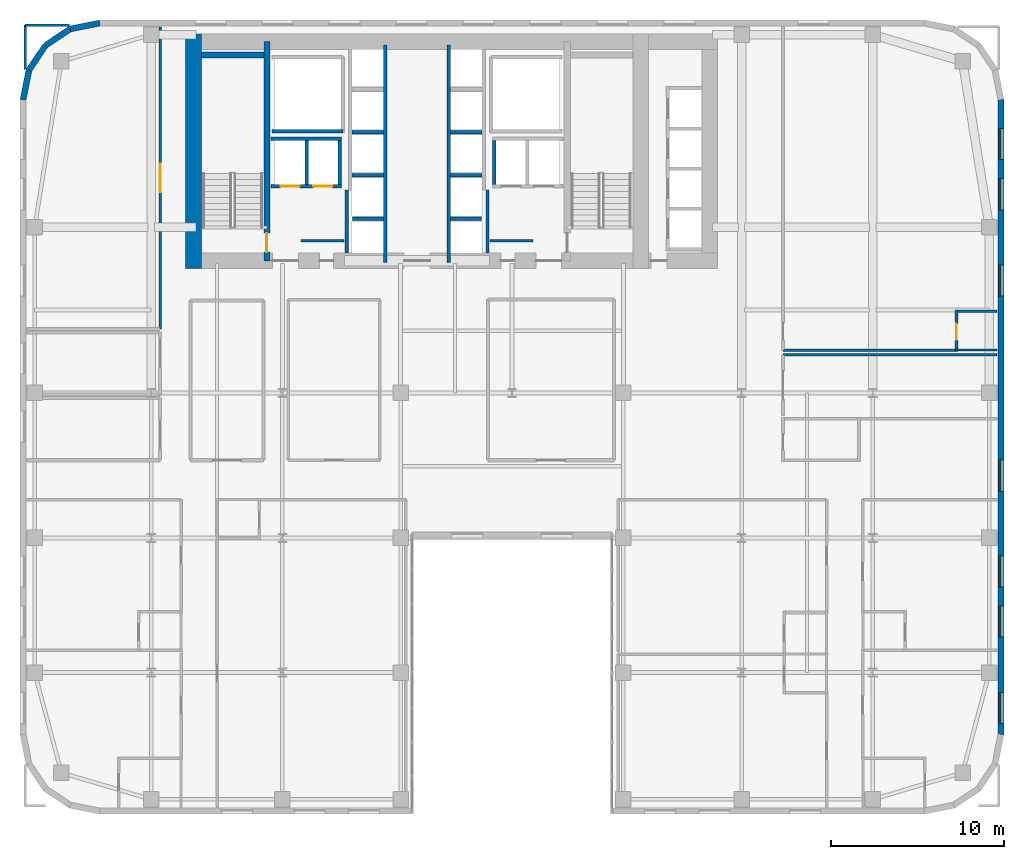
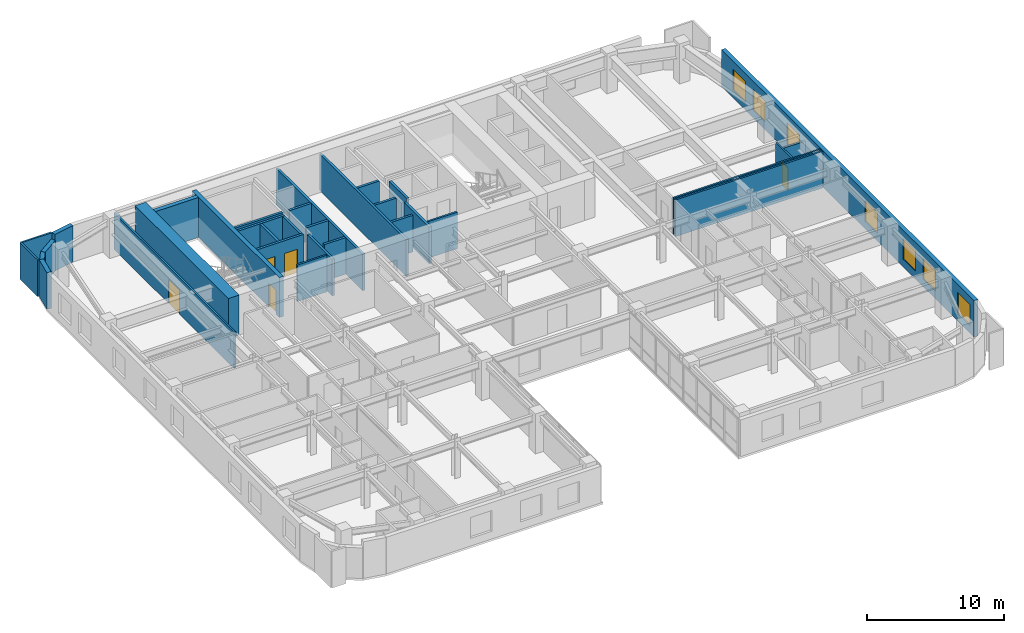
# One storey, part 13 of 16: 34 walls, 7 windows, 5 doors, 12 openings.
"""IFC4 building model written with IfcOpenShell, lengths in metres."""

from ifc_helpers import new_model, si_unit, direction, frame, frame_2d, origin, place, context, subcontext, project, spatial, rectangle, extrude, source, transform, mapped, material, layer, layer_set, type_object, type_shapes, element, fill, save


model = new_model("IFC4")

# Units and contexts
model_context = context("Model", 3, precision=1e-05, world=origin(), true_north=direction((0.0, 1.0)))
body_context = subcontext(model_context, "Body", "Model", "MODEL_VIEW")
ifc_project = project(units=[si_unit("LENGTHUNIT", "METRE"), si_unit("AREAUNIT", "SQUARE_METRE"), si_unit("VOLUMEUNIT", "CUBIC_METRE"), si_unit("PLANEANGLEUNIT", "RADIAN"), si_unit("MASSUNIT", "GRAM", prefix="KILO")], contexts=[model_context])

# Site, building, storey
site_placement = place(None, origin())
site = spatial("IfcSite", under=ifc_project, at=site_placement, CompositionType="ELEMENT")
building_placement = place(site_placement, origin())
building = spatial("IfcBuilding", under=site, at=building_placement, Name="Tolvann Quenvar Hotel", CompositionType="ELEMENT")
storey_placement = place(building_placement, frame((0.0, 0.0, 92.35009765625)))
storey = spatial("IfcBuildingStorey", under=building, at=storey_placement, Name="L23", CompositionType="ELEMENT", Elevation=92.35009765625)

# Wall
ifc_material_1 = material(Name="Concrete S80 (80 MPa)", Category="concrete")
ifc_layer_1 = layer(ifc_material_1, 0.89990234375)
ifc_layer_set_1 = layer_set([ifc_layer_1], Name="Concrete S80 (80 MPa)")
wall_type_1 = type_object("IfcWallType", Name="WALL_CORE_900", PredefinedType="SHEAR", material=ifc_layer_set_1)
wall_1_placement = place(storey_placement, frame((10.050048828125, 31.60009765625, 0.0), z_axis=(0.0, 0.0, 1.0), x_axis=(0.0, 1.0, 0.0)))
element("IfcWall", 1, at=wall_1_placement, inside=storey, type_object=wall_type_1, Name="Rear Core W Shear Wall (L23)", PredefinedType="SHEAR", context=body_context, shape_type="SweptSolid", body=[
    extrude(rectangle(XDim=13.599853515625, YDim=0.89990234375, at=frame_2d((6.7998046875, 0.0))), origin(), (0.0, 0.0, 1.0), 3.5498046875),
])

# Wall, opening, door
ifc_material_2 = material(Name="Concrete S65 (65 MPa)", Category="concrete")
ifc_layer_2 = layer(ifc_material_2, 0.35009765625)
ifc_layer_set_2 = layer_set([ifc_layer_2], Name="Concrete S65 (65 MPa)")
wall_type_2 = type_object("IfcWallType", Name="WALL_CORE_INT_350", PredefinedType="SHEAR", material=ifc_layer_set_2)
wall_2_placement = place(storey_placement, frame((14.300048828125, 32.050048828125, 0.0), z_axis=(0.0, 0.0, 1.0), x_axis=(0.0, 1.0, 0.0)))
wall_2 = element("IfcWall", 2, at=wall_2_placement, inside=storey, type_object=wall_type_2, Name="Core Internal Web Shear Wall WEB-W (L23)", PredefinedType="SHEAR", context=body_context, shape_type="SweptSolid", body=[
    extrude(rectangle(XDim=12.699951171875, YDim=0.35009765625, at=frame_2d((6.35009765625, 0.0))), origin(), (0.0, 0.0, 1.0), 3.5498046875),
])
opening_1_placement = place(wall_2_placement, frame((0.5, 0.0, 0.0)))
opening_1 = element("IfcOpeningElement", 3, at=opening_1_placement, cuts=wall_2, Name="Opening FD-120", PredefinedType="OPENING", context=body_context, shape_type="SweptSolid", body=[
    extrude(rectangle(XDim=1.10009765625, YDim=2.1201171875, at=frame_2d((0.550048828125, 1.06005859375))), frame((0.0, 0.18505859375, 0.0), z_axis=(0.0, -1.0, 0.0), x_axis=(1.0, 0.0, 0.0)), (0.0, 0.0, 1.0), 0.3701171875),
])
ifc_material_3 = material(Name="Pressed galvanised steel fire-rated door set", Category="steel")
door_type_1 = type_object("IfcDoorType", Name="DOOR_FIRE_STAIR_1100", OperationType="NOTDEFINED", PredefinedType="DOOR", material=ifc_material_3)
shared_shape_1 = source(origin(), body_context, "Body", "SweptSolid", [
    extrude(rectangle(XDim=1.10009765625, YDim=2.1201171875, at=frame_2d((0.550048828125, 1.06005859375))), frame((0.0, 0.02490234375, 0.0), z_axis=(0.0, -1.0, 0.0), x_axis=(1.0, 0.0, 0.0)), (0.0, 0.0, 1.0), 0.050048828125),
])
type_shapes(door_type_1, [shared_shape_1])
door_1_placement = place(opening_1_placement, origin())
door_1 = element("IfcDoor", 4, at=door_1_placement, inside=storey, type_object=door_type_1, Name="Exit Stair ST-C1 Fire Door (L23)", OperationType="SINGLE_SWING_LEFT", OverallHeight=2.1201171875, OverallWidth=1.10009765625, PredefinedType="DOOR", context=body_context, shape_type="MappedRepresentation", body=[
    mapped(shared_shape_1, transform((0.0, 0.0, 0.0), x_axis=(1.0, 0.0, 0.0), y_axis=(0.0, 1.0, 0.0), z_axis=(0.0, 0.0, 1.0), scale=1.0)),
])
fill(opening_1, door_1)

# Wall
wall_3_placement = place(storey_placement, frame((10.52001953125, 43.97509765625, 0.0), z_axis=(0.0, 0.0, 1.0), x_axis=(1.0, 0.0, 0.0)))
element("IfcWall", 5, at=wall_3_placement, inside=storey, type_object=wall_type_2, Name="Core Stair North Closing Shear Wall STC1-N (L23)", PredefinedType="SHEAR", context=body_context, shape_type="SweptSolid", body=[
    extrude(rectangle(XDim=3.60009765625, YDim=0.35009765625, at=frame_2d((1.800048828125, 0.0))), origin(), (0.0, 0.0, 1.0), 3.5498046875),
])

# Wall, openings, windows
ifc_material_4 = material(Name="Kiln-fired red and buff architectural clay brickwork and terracotta masonry", Category="masonry")
ifc_layer_3 = layer(ifc_material_4, 0.35009765625)
ifc_layer_set_3 = layer_set([ifc_layer_3], Name="Kiln-fired red and buff architectural clay brickwork and terracotta masonry")
wall_type_3 = type_object("IfcWallType", Name="WALL_EXT_BRICK_350", PredefinedType="SOLIDWALL", material=ifc_layer_set_3)
wall_4_placement = place(storey_placement, frame((56.824951171875, 4.6171875, 0.0), z_axis=(0.0, 0.0, 1.0), x_axis=(0.0, 1.0, 0.0)))
wall_4 = element("IfcWall", 6, at=wall_4_placement, inside=storey, type_object=wall_type_3, Name="Exterior Chicago Brick Wall L23-E13", PredefinedType="SOLIDWALL", context=body_context, shape_type="SweptSolid", body=[
    extrude(rectangle(XDim=36.765625, YDim=0.35009765625, at=frame_2d((18.3828125, 0.0))), origin(), (0.0, 0.0, 1.0), 3.25),
])
opening_2_placement = place(wall_4_placement, frame((0.6259765625, 0.0, 0.679931640625)))
opening_2 = element("IfcOpeningElement", 7, at=opening_2_placement, cuts=wall_4, Name="Opening W-03", PredefinedType="OPENING", context=body_context, shape_type="SweptSolid", body=[
    extrude(rectangle(XDim=1.800048828125, YDim=1.85009765625, at=frame_2d((0.89990234375, 0.925048828125))), frame((0.0, 0.18505859375, 0.0), z_axis=(0.0, -1.0, 0.0), x_axis=(1.0, 0.0, 0.0)), (0.0, 0.0, 1.0), 0.3701171875),
])
opening_3_placement = place(wall_4_placement, frame((5.6279296875, 0.0, 0.679931640625)))
opening_3 = element("IfcOpeningElement", 8, at=opening_3_placement, cuts=wall_4, Name="Opening W-03", PredefinedType="OPENING", context=body_context, shape_type="SweptSolid", body=[
    extrude(rectangle(XDim=1.800048828125, YDim=1.85009765625, at=frame_2d((0.89990234375, 0.925048828125))), frame((0.0, 0.18505859375, 0.0), z_axis=(0.0, -1.0, 0.0), x_axis=(1.0, 0.0, 0.0)), (0.0, 0.0, 1.0), 0.3701171875),
])
opening_4_placement = place(wall_4_placement, frame((8.529052734375, 0.0, 0.679931640625)))
opening_4 = element("IfcOpeningElement", 9, at=opening_4_placement, cuts=wall_4, Name="Opening W-03", PredefinedType="OPENING", context=body_context, shape_type="SweptSolid", body=[
    extrude(rectangle(XDim=1.800048828125, YDim=1.85009765625, at=frame_2d((0.89990234375, 0.925048828125))), frame((0.0, 0.18505859375, 0.0), z_axis=(0.0, -1.0, 0.0), x_axis=(1.0, 0.0, 0.0)), (0.0, 0.0, 1.0), 0.3701171875),
])
opening_5_placement = place(wall_4_placement, frame((14.0810546875, 0.0, 0.679931640625)))
opening_5 = element("IfcOpeningElement", 10, at=opening_5_placement, cuts=wall_4, Name="Opening W-03", PredefinedType="OPENING", context=body_context, shape_type="SweptSolid", body=[
    extrude(rectangle(XDim=1.800048828125, YDim=1.85009765625, at=frame_2d((0.89990234375, 0.925048828125))), frame((0.0, 0.18505859375, 0.0), z_axis=(0.0, -1.0, 0.0), x_axis=(1.0, 0.0, 0.0)), (0.0, 0.0, 1.0), 0.3701171875),
])
opening_6_placement = place(wall_4_placement, frame((25.385986328125, 0.0, 0.679931640625)))
opening_6 = element("IfcOpeningElement", 11, at=opening_6_placement, cuts=wall_4, Name="Opening W-03", PredefinedType="OPENING", context=body_context, shape_type="SweptSolid", body=[
    extrude(rectangle(XDim=1.800048828125, YDim=1.85009765625, at=frame_2d((0.89990234375, 0.925048828125))), frame((0.0, 0.18505859375, 0.0), z_axis=(0.0, -1.0, 0.0), x_axis=(1.0, 0.0, 0.0)), (0.0, 0.0, 1.0), 0.3701171875),
])
opening_7_placement = place(wall_4_placement, frame((30.387939453125, 0.0, 0.679931640625)))
opening_7 = element("IfcOpeningElement", 12, at=opening_7_placement, cuts=wall_4, Name="Opening W-03", PredefinedType="OPENING", context=body_context, shape_type="SweptSolid", body=[
    extrude(rectangle(XDim=1.800048828125, YDim=1.85009765625, at=frame_2d((0.89990234375, 0.925048828125))), frame((0.0, 0.18505859375, 0.0), z_axis=(0.0, -1.0, 0.0), x_axis=(1.0, 0.0, 0.0)), (0.0, 0.0, 1.0), 0.3701171875),
])
opening_8_placement = place(wall_4_placement, frame((33.2900390625, 0.0, 0.679931640625)))
opening_8 = element("IfcOpeningElement", 13, at=opening_8_placement, cuts=wall_4, Name="Opening W-03", PredefinedType="OPENING", context=body_context, shape_type="SweptSolid", body=[
    extrude(rectangle(XDim=1.800048828125, YDim=1.85009765625, at=frame_2d((0.89990234375, 0.925048828125))), frame((0.0, 0.18505859375, 0.0), z_axis=(0.0, -1.0, 0.0), x_axis=(1.0, 0.0, 0.0)), (0.0, 0.0, 1.0), 0.3701171875),
])
ifc_material_5 = material(Name="Thermally broken bronze-anodised aluminium frame with double low-E glazing", Category="aluminium")
window_type = type_object("IfcWindowType", Name="WIN_CHI_1800x2050", PartitioningType="TRIPLE_PANEL_HORIZONTAL", PredefinedType="WINDOW", material=ifc_material_5)
shared_shape_2 = source(origin(), body_context, "Body", "SweptSolid", [
    extrude(rectangle(XDim=1.800048828125, YDim=1.85009765625, at=frame_2d((0.89990234375, 0.925048828125))), frame((0.0, 0.090087890625, 0.0), z_axis=(0.0, -1.0, 0.0), x_axis=(1.0, 0.0, 0.0)), (0.0, 0.0, 1.0), 0.06005859375),
])
type_shapes(window_type, [shared_shape_2])
window_1_placement = place(opening_2_placement, origin())
window_1 = element("IfcWindow", 14, at=window_1_placement, inside=storey, type_object=window_type, Name="Chicago Window W-03 (EW-L23-E13-W01)", OverallHeight=1.85009765625, OverallWidth=1.800048828125, PartitioningType="TRIPLE_PANEL_HORIZONTAL", PredefinedType="WINDOW", context=body_context, shape_type="MappedRepresentation", body=[
    mapped(shared_shape_2, transform((0.0, 0.0, 0.0), x_axis=(1.0, 0.0, 0.0), y_axis=(0.0, 1.0, 0.0), z_axis=(0.0, 0.0, 1.0), scale=1.0)),
])
fill(opening_2, window_1)
window_2_placement = place(opening_3_placement, origin())
window_2 = element("IfcWindow", 15, at=window_2_placement, inside=storey, type_object=window_type, Name="Chicago Window W-03 (EW-L23-E13-W02)", OverallHeight=1.85009765625, OverallWidth=1.800048828125, PartitioningType="TRIPLE_PANEL_HORIZONTAL", PredefinedType="WINDOW", context=body_context, shape_type="MappedRepresentation", body=[
    mapped(shared_shape_2, transform((0.0, 0.0, 0.0), x_axis=(1.0, 0.0, 0.0), y_axis=(0.0, 1.0, 0.0), z_axis=(0.0, 0.0, 1.0), scale=1.0)),
])
fill(opening_3, window_2)
window_3_placement = place(opening_4_placement, origin())
window_3 = element("IfcWindow", 16, at=window_3_placement, inside=storey, type_object=window_type, Name="Chicago Window W-03 (EW-L23-E13-W03)", OverallHeight=1.85009765625, OverallWidth=1.800048828125, PartitioningType="TRIPLE_PANEL_HORIZONTAL", PredefinedType="WINDOW", context=body_context, shape_type="MappedRepresentation", body=[
    mapped(shared_shape_2, transform((0.0, 0.0, 0.0), x_axis=(1.0, 0.0, 0.0), y_axis=(0.0, 1.0, 0.0), z_axis=(0.0, 0.0, 1.0), scale=1.0)),
])
fill(opening_4, window_3)
window_4_placement = place(opening_5_placement, origin())
window_4 = element("IfcWindow", 17, at=window_4_placement, inside=storey, type_object=window_type, Name="Chicago Window W-03 (EW-L23-E13-W04)", OverallHeight=1.85009765625, OverallWidth=1.800048828125, PartitioningType="TRIPLE_PANEL_HORIZONTAL", PredefinedType="WINDOW", context=body_context, shape_type="MappedRepresentation", body=[
    mapped(shared_shape_2, transform((0.0, 0.0, 0.0), x_axis=(1.0, 0.0, 0.0), y_axis=(0.0, 1.0, 0.0), z_axis=(0.0, 0.0, 1.0), scale=1.0)),
])
fill(opening_5, window_4)
window_5_placement = place(opening_6_placement, origin())
window_5 = element("IfcWindow", 18, at=window_5_placement, inside=storey, type_object=window_type, Name="Chicago Window W-03 (EW-L23-E13-W05)", OverallHeight=1.85009765625, OverallWidth=1.800048828125, PartitioningType="TRIPLE_PANEL_HORIZONTAL", PredefinedType="WINDOW", context=body_context, shape_type="MappedRepresentation", body=[
    mapped(shared_shape_2, transform((0.0, 0.0, 0.0), x_axis=(1.0, 0.0, 0.0), y_axis=(0.0, 1.0, 0.0), z_axis=(0.0, 0.0, 1.0), scale=1.0)),
])
fill(opening_6, window_5)
window_6_placement = place(opening_7_placement, origin())
window_6 = element("IfcWindow", 19, at=window_6_placement, inside=storey, type_object=window_type, Name="Chicago Window W-03 (EW-L23-E13-W06)", OverallHeight=1.85009765625, OverallWidth=1.800048828125, PartitioningType="TRIPLE_PANEL_HORIZONTAL", PredefinedType="WINDOW", context=body_context, shape_type="MappedRepresentation", body=[
    mapped(shared_shape_2, transform((0.0, 0.0, 0.0), x_axis=(1.0, 0.0, 0.0), y_axis=(0.0, 1.0, 0.0), z_axis=(0.0, 0.0, 1.0), scale=1.0)),
])
fill(opening_7, window_6)
window_7_placement = place(opening_8_placement, origin())
window_7 = element("IfcWindow", 20, at=window_7_placement, inside=storey, type_object=window_type, Name="Chicago Window W-03 (EW-L23-E13-W07)", OverallHeight=1.85009765625, OverallWidth=1.800048828125, PartitioningType="TRIPLE_PANEL_HORIZONTAL", PredefinedType="WINDOW", context=body_context, shape_type="MappedRepresentation", body=[
    mapped(shared_shape_2, transform((0.0, 0.0, 0.0), x_axis=(1.0, 0.0, 0.0), y_axis=(0.0, 1.0, 0.0), z_axis=(0.0, 0.0, 1.0), scale=1.0)),
])
fill(opening_8, window_7)

# Walls
wall_5_placement = place(storey_placement, frame((4.6171875, 45.824951171875, 0.0), z_axis=(0.0, 0.0, 1.0), x_axis=(-0.980800971659, -0.195011420161, 0.0)))
element("IfcWall", 21, at=wall_5_placement, inside=storey, type_object=wall_type_3, Name="Exterior Chicago Brick Wall L23-E19", PredefinedType="SOLIDWALL", context=body_context, shape_type="SweptSolid", body=[
    extrude(rectangle(XDim=1.74267578125, YDim=0.35009765625, at=frame_2d((0.871337890625, 0.0))), origin(), (0.0, 0.0, 1.0), 3.25),
])
for number, where, z_axis, x_axis, name in (
    (22, (2.907958984375, 45.485107421875, 0.0), (0.0, 0.0, 1.0), (-0.831483840845, -0.55554893791, 0.0), "Exterior Chicago Brick Wall L23-E20"),
    (23, (1.473388671875, 44.526611328125, 0.0), (0.0, 0.0, 1.0), (-0.55554893791, -0.831483840845, 0.0), "Exterior Chicago Brick Wall L23-E21"),
):
    element("IfcWall", number, at=place(storey_placement, frame(where, z_axis=z_axis, x_axis=x_axis)), inside=storey, type_object=wall_type_3, Name=name, PredefinedType="SOLIDWALL", context=body_context, shape_type="SweptSolid", body=[
        extrude(rectangle(XDim=1.725341796875, YDim=0.35009765625, at=frame_2d((0.86279296875, 0.0))), origin(), (0.0, 0.0, 1.0), 2.7119140625),
    ])
wall_6_placement = place(storey_placement, frame((0.514892578125, 43.092041015625, 0.0), z_axis=(0.0, 0.0, 1.0), x_axis=(-0.195011420161, -0.980800971659, 0.0)))
element("IfcWall", 24, at=wall_6_placement, inside=storey, type_object=wall_type_3, Name="Exterior Chicago Brick Wall L23-E22", PredefinedType="SOLIDWALL", context=body_context, shape_type="SweptSolid", body=[
    extrude(rectangle(XDim=1.74267578125, YDim=0.35009765625, at=frame_2d((0.871337890625, 0.0))), origin(), (0.0, 0.0, 1.0), 3.25),
])
ifc_material_6 = material(Name="Moisture-resistant acoustic plumbing wall assembly")
ifc_layer_4 = layer(ifc_material_6, 0.1201171875)
ifc_layer_set_4 = layer_set([ifc_layer_4], Name="Moisture-resistant acoustic plumbing wall assembly")
wall_type_4 = type_object("IfcWallType", Name="WALL_PART_BATH_120", PredefinedType="PLUMBINGWALL", material=ifc_layer_set_4)
wall_7_placement = place(storey_placement, frame((54.179931640625, 26.8798828125, 0.0), z_axis=(0.0, 0.0, 1.0), x_axis=(1.0, 0.0, 0.0)))
element("IfcWall", 25, at=wall_7_placement, inside=storey, type_object=wall_type_4, Name="Non-Rated Plumbing Partition PT-SPC-L23-ENS-NE01-S", PredefinedType="PLUMBINGWALL", context=body_context, shape_type="SweptSolid", body=[
    extrude(rectangle(XDim=2.4150390625, YDim=0.1201171875, at=frame_2d((1.20751953125, 0.0))), origin(), (0.0, 0.0, 1.0), 3.25),
])

# Wall, opening, door
ifc_material_7 = material(Name="Acoustic twin-stud fire-rated gypsum plasterboard partition")
ifc_layer_5 = layer(ifc_material_7, 0.14990234375)
ifc_layer_set_5 = layer_set([ifc_layer_5], Name="Acoustic twin-stud fire-rated gypsum plasterboard partition")
wall_type_5 = type_object("IfcWallType", Name="WALL_PART_SUITE_150", PredefinedType="PARTITIONING", material=ifc_layer_set_5)
wall_8_placement = place(storey_placement, frame((54.25, 26.81005859375, 0.0), z_axis=(0.0, 0.0, 1.0), x_axis=(0.0, 1.0, 0.0)))
wall_8 = element("IfcWall", 26, at=wall_8_placement, inside=storey, type_object=wall_type_5, Name="Interior Partition PT-SPC-L23-ENS-NE01-ENT", PredefinedType="PARTITIONING", context=body_context, shape_type="SweptSolid", body=[
    extrude(rectangle(XDim=2.389892578125, YDim=0.14990234375, at=frame_2d((1.19482421875, 0.0))), origin(), (0.0, 0.0, 1.0), 3.25),
])
opening_9_placement = place(wall_8_placement, frame((0.6650390625, 0.0, 0.0)))
opening_9 = element("IfcOpeningElement", 27, at=opening_9_placement, cuts=wall_8, Name="Opening WD-01", PredefinedType="OPENING", context=body_context, shape_type="SweptSolid", body=[
    extrude(rectangle(XDim=0.919921875, YDim=2.010009765625, at=frame_2d((0.4599609375, 1.0048828125))), frame((0.0, 0.0849609375, 0.0), z_axis=(0.0, -1.0, 0.0), x_axis=(1.0, 0.0, 0.0)), (0.0, 0.0, 1.0), 0.169921875),
])
ifc_material_8 = material(Name="Solid-core American oak acoustic fire door leaf in steel frame", Category="steel")
door_type_2 = type_object("IfcDoorType", Name="DOOR_WC_920", OperationType="NOTDEFINED", PredefinedType="DOOR", material=ifc_material_8)
shared_shape_3 = source(origin(), body_context, "Body", "SweptSolid", [
    extrude(rectangle(XDim=0.919921875, YDim=2.010009765625, at=frame_2d((0.4599609375, 1.0048828125))), frame((0.0, 0.02490234375, 0.0), z_axis=(0.0, -1.0, 0.0), x_axis=(1.0, 0.0, 0.0)), (0.0, 0.0, 1.0), 0.050048828125),
])
type_shapes(door_type_2, [shared_shape_3])
door_2_placement = place(opening_9_placement, origin())
door_2 = element("IfcDoor", 28, at=door_2_placement, inside=storey, type_object=door_type_2, Name="Interior Door DOOR-SPC-L23-ENS-NE01", OperationType="SINGLE_SWING_LEFT", OverallHeight=2.010009765625, OverallWidth=0.919921875, PredefinedType="DOOR", context=body_context, shape_type="MappedRepresentation", body=[
    mapped(shared_shape_3, transform((0.0, 0.0, 0.0), x_axis=(1.0, 0.0, 0.0), y_axis=(0.0, 1.0, 0.0), z_axis=(0.0, 0.0, 1.0), scale=1.0)),
])
fill(opening_9, door_2)

# Walls
wall_9_placement = place(storey_placement, frame((54.179931640625, 29.1298828125, 0.0), z_axis=(0.0, 0.0, 1.0), x_axis=(1.0, 0.0, 0.0)))
element("IfcWall", 29, at=wall_9_placement, inside=storey, type_object=wall_type_5, Name="Interior Partition PT-SPC-L23-ENS-NE01-N", PredefinedType="PARTITIONING", context=body_context, shape_type="SweptSolid", body=[
    extrude(rectangle(XDim=2.4150390625, YDim=0.14990234375, at=frame_2d((1.20751953125, 0.0))), origin(), (0.0, 0.0, 1.0), 2.6279296875),
])
for number, where, z_axis, x_axis, name in (
    (30, (16.280029296875, 33.219970703125, 0.0), (0.0, 0.0, 1.0), (1.0, 0.0, 0.0), "Interior Partition PT-SPC-L23-CSW-1-N"),
    (31, (27.235107421875, 33.219970703125, 0.0), (0.0, 0.0, 1.0), (1.0, 0.0, 0.0), "Interior Partition PT-SPC-L23-CSE-2-N"),
):
    element("IfcWall", number, at=place(storey_placement, frame(where, z_axis=z_axis, x_axis=x_axis)), inside=storey, type_object=wall_type_5, Name=name, PredefinedType="PARTITIONING", context=body_context, shape_type="SweptSolid", body=[
        extrude(rectangle(XDim=2.48486328125, YDim=0.14990234375, at=frame_2d((1.242431640625, 0.0))), origin(), (0.0, 0.0, 1.0), 3.25),
    ])
for number, where, z_axis, x_axis, name in (
    (32, (0.300048828125, 45.699951171875, 0.0), (0.0, 0.0, 1.0), (1.0, 0.0, 0.0), "Interior Partition PT-SPC-L23-TEA-N"),
    (33, (0.300048828125, 43.135009765625, 0.0), (0.0, 0.0, 1.0), (0.0, 1.0, 0.0), "Interior Partition PT-SPC-L23-TEA-W"),
):
    element("IfcWall", number, at=place(storey_placement, frame(where, z_axis=z_axis, x_axis=x_axis)), inside=storey, type_object=wall_type_5, Name=name, PredefinedType="PARTITIONING", context=body_context, shape_type="SweptSolid", body=[
        extrude(rectangle(XDim=2.56494140625, YDim=0.14990234375, at=frame_2d((1.282470703125, 0.0))), origin(), (0.0, 0.0, 1.0), 3.25),
    ])

# Wall, opening, door
wall_10_placement = place(storey_placement, frame((8.1201171875, 28.10009765625, 0.0), z_axis=(0.0, 0.0, 1.0), x_axis=(0.0, 1.0, 0.0)))
wall_10 = element("IfcWall", 34, at=wall_10_placement, inside=storey, type_object=wall_type_5, Name="Interior Partition PT-SPC-L23-TEA-E", PredefinedType="PARTITIONING", context=body_context, shape_type="SweptSolid", body=[
    extrude(rectangle(XDim=17.494873046875, YDim=0.14990234375, at=frame_2d((8.74755859375, 0.0))), origin(), (0.0, 0.0, 1.0), 3.25),
])
opening_10_placement = place(wall_10_placement, frame((7.922607421875, 0.0, 0.0)))
opening_10 = element("IfcOpeningElement", 35, at=opening_10_placement, cuts=wall_10, Name="Opening AD-01", PredefinedType="OPENING", context=body_context, shape_type="SweptSolid", body=[
    extrude(rectangle(XDim=1.64990234375, YDim=2.14990234375, at=frame_2d((0.824951171875, 1.074951171875))), frame((0.0, 0.0849609375, 0.0), z_axis=(0.0, -1.0, 0.0), x_axis=(1.0, 0.0, 0.0)), (0.0, 0.0, 1.0), 0.169921875),
])
door_type_3 = type_object("IfcDoorType", Name="DOOR_SALON_1650", OperationType="NOTDEFINED", PredefinedType="DOOR", material=ifc_material_8)
shared_shape_4 = source(origin(), body_context, "Body", "SweptSolid", [
    extrude(rectangle(XDim=1.64990234375, YDim=2.14990234375, at=frame_2d((0.824951171875, 1.074951171875))), frame((0.0, 0.02490234375, 0.0), z_axis=(0.0, -1.0, 0.0), x_axis=(1.0, 0.0, 0.0)), (0.0, 0.0, 1.0), 0.050048828125),
])
type_shapes(door_type_3, [shared_shape_4])
door_3_placement = place(opening_10_placement, origin())
door_3 = element("IfcDoor", 36, at=door_3_placement, inside=storey, type_object=door_type_3, Name="Interior Door DOOR-SPC-L23-TEA", OperationType="DOUBLE_DOOR_SINGLE_SWING", OverallHeight=2.14990234375, OverallWidth=1.64990234375, PredefinedType="DOOR", context=body_context, shape_type="MappedRepresentation", body=[
    mapped(shared_shape_4, transform((0.0, 0.0, 0.0), x_axis=(1.0, 0.0, 0.0), y_axis=(0.0, 1.0, 0.0), z_axis=(0.0, 0.0, 1.0), scale=1.0)),
])
fill(opening_10, door_3)

# Walls
wall_11_placement = place(storey_placement, frame((44.199951171875, 26.60009765625, 0.0), z_axis=(0.0, 0.0, 1.0), x_axis=(1.0, 0.0, 0.0)))
element("IfcWall", 37, at=wall_11_placement, inside=storey, type_object=wall_type_5, Name="Interior Partition PT-SPC-L23-SPA-N", PredefinedType="PARTITIONING", context=body_context, shape_type="SweptSolid", body=[
    extrude(rectangle(XDim=12.39501953125, YDim=0.14990234375, at=frame_2d((6.197509765625, 0.0))), origin(), (0.0, 0.0, 1.0), 3.25),
])
wall_12_placement = place(storey_placement, frame((44.199951171875, 26.8798828125, 0.0), z_axis=(0.0, 0.0, 1.0), x_axis=(1.0, 0.0, 0.0)))
element("IfcWall", 38, at=wall_12_placement, inside=storey, type_object=wall_type_5, Name="Interior Partition PT-SPC-L23-RM-NE01-E1", PredefinedType="PARTITIONING", context=body_context, shape_type="SweptSolid", body=[
    extrude(rectangle(XDim=10.030029296875, YDim=0.14990234375, at=frame_2d((5.01513671875, 0.0))), origin(), (0.0, 0.0, 1.0), 3.25),
])
ifc_material_9 = material(Name="Concrete N40 (40 MPa)", Category="concrete")
ifc_layer_6 = layer(ifc_material_9, 0.199951171875)
ifc_layer_set_6 = layer_set([ifc_layer_6], Name="Concrete N40 (40 MPa)")
wall_type_6 = type_object("IfcWallType", Name="WALL_SHAFT_200", PredefinedType="SOLIDWALL", material=ifc_layer_set_6)
wall_13_placement = place(storey_placement, frame((14.60009765625, 39.550048828125, 0.0), z_axis=(0.0, 0.0, 1.0), x_axis=(1.0, 0.0, 0.0)))
element("IfcWall", 39, at=wall_13_placement, inside=storey, type_object=wall_type_6, Name="Service Riser W Shaft Wall S (L23)", PredefinedType="SOLIDWALL", context=body_context, shape_type="SweptSolid", body=[
    extrude(rectangle(XDim=4.099853515625, YDim=0.199951171875, at=frame_2d((2.0498046875, 0.0))), origin(), (0.0, 0.0, 1.0), 3.25),
])
for number, where, z_axis, x_axis, name in (
    (40, (18.919921875, 32.50390625, 0.0), (0.0, 0.0, 1.0), (0.0, 1.0, 0.0), "Firefighting Lobby W Inner Fire Wall (L23)"),
    (41, (27.080078125, 32.50390625, 0.0), (0.0, 0.0, 1.0), (0.0, 1.0, 0.0), "Firefighting Lobby E Inner Fire Wall (L23)"),
):
    element("IfcWall", number, at=place(storey_placement, frame(where, z_axis=z_axis, x_axis=x_axis)), inside=storey, type_object=wall_type_6, Name=name, PredefinedType="SOLIDWALL", context=body_context, shape_type="SweptSolid", body=[
        extrude(rectangle(XDim=3.64599609375, YDim=0.199951171875, at=frame_2d((1.822998046875, 0.0))), origin(), (0.0, 0.0, 1.0), 3.25),
    ])
wall_14_placement = place(storey_placement, frame((21.169921875, 31.9599609375, 0.0), z_axis=(0.0, 0.0, 1.0), x_axis=(0.0, 1.0, 0.0)))
element("IfcWall", 42, at=wall_14_placement, inside=storey, type_object=wall_type_6, Name="Lift Bank E21.1C1 Hoistway Front Wall (L23)", PredefinedType="SOLIDWALL", context=body_context, shape_type="SweptSolid", body=[
    extrude(rectangle(XDim=12.580078125, YDim=0.199951171875, at=frame_2d((6.2900390625, 0.0))), origin(), (0.0, 0.0, 1.0), 3.25),
])
wall_15_placement = place(storey_placement, frame((19.27001953125, 34.5, 0.0), z_axis=(0.0, 0.0, 1.0), x_axis=(1.0, 0.0, 0.0)))
element("IfcWall", 43, at=wall_15_placement, inside=storey, type_object=wall_type_6, Name="Lift Bank E21.1C1 Divider Wall 1 (L23)", PredefinedType="SOLIDWALL", context=body_context, shape_type="SweptSolid", body=[
    extrude(rectangle(XDim=1.800048828125, YDim=0.199951171875, at=frame_2d((0.89990234375, 0.0))), origin(), (0.0, 0.0, 1.0), 3.25),
])
for number, where, z_axis, x_axis, name in (
    (44, (19.22998046875, 37.0, 0.0), (0.0, 0.0, 1.0), (1.0, 0.0, 0.0), "Lift Bank E21.1C1 Divider Wall 2 (L23)"),
    (45, (19.22998046875, 39.5, 0.0), (0.0, 0.0, 1.0), (1.0, 0.0, 0.0), "Lift Bank E21.1C1 Divider Wall 3 (L23)"),
):
    element("IfcWall", number, at=place(storey_placement, frame(where, z_axis=z_axis, x_axis=x_axis)), inside=storey, type_object=wall_type_6, Name=name, PredefinedType="SOLIDWALL", context=body_context, shape_type="SweptSolid", body=[
        extrude(rectangle(XDim=1.840087890625, YDim=0.199951171875, at=frame_2d((0.919921875, 0.0))), origin(), (0.0, 0.0, 1.0), 3.25),
    ])
wall_16_placement = place(storey_placement, frame((27.47509765625, 36.47998046875, 0.0), z_axis=(0.0, 0.0, 1.0), x_axis=(0.0, 1.0, 0.0)))
element("IfcWall", 46, at=wall_16_placement, inside=storey, type_object=wall_type_6, Name="Lift Bank SEC1 Hoistway Cheek Wall 1 (L23)", PredefinedType="SOLIDWALL", context=body_context, shape_type="SweptSolid", body=[
    extrude(rectangle(XDim=2.5400390625, YDim=0.199951171875, at=frame_2d((1.27001953125, 0.0))), origin(), (0.0, 0.0, 1.0), 3.25),
])

# Wall, openings, doors
wall_17_placement = place(storey_placement, frame((14.550048828125, 36.3798828125, 0.0), z_axis=(0.0, 0.0, 1.0), x_axis=(1.0, 0.0, 0.0)))
wall_17 = element("IfcWall", 47, at=wall_17_placement, inside=storey, type_object=wall_type_6, Name="Lift Bank SWC1 Hoistway Front Wall (L23)", PredefinedType="SOLIDWALL", context=body_context, shape_type="SweptSolid", body=[
    extrude(rectangle(XDim=4.074951171875, YDim=0.199951171875, at=frame_2d((2.03759765625, 0.0))), origin(), (0.0, 0.0, 1.0), 3.25),
])
opening_11_placement = place(wall_17_placement, frame((0.550048828125, 0.0, 0.0)))
opening_11 = element("IfcOpeningElement", 48, at=opening_11_placement, cuts=wall_17, Name="Opening LD-01", PredefinedType="OPENING", context=body_context, shape_type="SweptSolid", body=[
    extrude(rectangle(XDim=1.10009765625, YDim=2.1201171875, at=frame_2d((0.550048828125, 1.06005859375))), frame((0.0, 0.10986328125, 0.0), z_axis=(0.0, -1.0, 0.0), x_axis=(1.0, 0.0, 0.0)), (0.0, 0.0, 1.0), 0.219970703125),
])
opening_12_placement = place(wall_17_placement, frame((2.449951171875, 0.0, 0.0)))
opening_12 = element("IfcOpeningElement", 49, at=opening_12_placement, cuts=wall_17, Name="Opening LD-01", PredefinedType="OPENING", context=body_context, shape_type="SweptSolid", body=[
    extrude(rectangle(XDim=1.10009765625, YDim=2.1201171875, at=frame_2d((0.550048828125, 1.06005859375))), frame((0.0, 0.10986328125, 0.0), z_axis=(0.0, -1.0, 0.0), x_axis=(1.0, 0.0, 0.0)), (0.0, 0.0, 1.0), 0.219970703125),
])
ifc_material_10 = material(Name="Brushed 316 stainless steel automatic sliding lift landing door", Category="steel")
door_type_4 = type_object("IfcDoorType", Name="DOOR_LIFT_SLIDE_1100", OperationType="NOTDEFINED", PredefinedType="DOOR", material=ifc_material_10)
shared_shape_5 = source(origin(), body_context, "Body", "SweptSolid", [
    extrude(rectangle(XDim=1.10009765625, YDim=2.1201171875, at=frame_2d((0.550048828125, 1.06005859375))), frame((0.0, 0.02490234375, 0.0), z_axis=(0.0, -1.0, 0.0), x_axis=(1.0, 0.0, 0.0)), (0.0, 0.0, 1.0), 0.050048828125),
])
type_shapes(door_type_4, [shared_shape_5])
door_4_placement = place(opening_11_placement, origin())
door_4 = element("IfcDoor", 50, at=door_4_placement, inside=storey, type_object=door_type_4, Name="Lift FF-1 Sliding Landing Door (L23)", OperationType="SLIDING_TO_LEFT", OverallHeight=2.1201171875, OverallWidth=1.10009765625, PredefinedType="DOOR", context=body_context, shape_type="MappedRepresentation", body=[
    mapped(shared_shape_5, transform((0.0, 0.0, 0.0), x_axis=(1.0, 0.0, 0.0), y_axis=(0.0, 1.0, 0.0), z_axis=(0.0, 0.0, 1.0), scale=1.0)),
])
fill(opening_11, door_4)
door_5_placement = place(opening_12_placement, origin())
door_5 = element("IfcDoor", 51, at=door_5_placement, inside=storey, type_object=door_type_4, Name="Lift SV-1 Sliding Landing Door (L23)", OperationType="SLIDING_TO_RIGHT", OverallHeight=2.1201171875, OverallWidth=1.10009765625, PredefinedType="DOOR", context=body_context, shape_type="MappedRepresentation", body=[
    mapped(shared_shape_5, transform((0.0, 0.0, 0.0), x_axis=(1.0, 0.0, 0.0), y_axis=(0.0, 1.0, 0.0), z_axis=(0.0, 0.0, 1.0), scale=1.0)),
])
fill(opening_12, door_5)

# Walls
wall_18_placement = place(storey_placement, frame((14.550048828125, 39.1201171875, 0.0), z_axis=(0.0, 0.0, 1.0), x_axis=(1.0, 0.0, 0.0)))
element("IfcWall", 52, at=wall_18_placement, inside=storey, type_object=wall_type_6, Name="Lift Bank SWC1 Hoistway Rear Wall (L23)", PredefinedType="SOLIDWALL", context=body_context, shape_type="SweptSolid", body=[
    extrude(rectangle(XDim=4.074951171875, YDim=0.199951171875, at=frame_2d((2.03759765625, 0.0))), origin(), (0.0, 0.0, 1.0), 3.25),
])
for number, where, z_axis, x_axis, name in (
    (53, (18.52490234375, 36.47998046875, 0.0), (0.0, 0.0, 1.0), (0.0, 1.0, 0.0), "Lift Bank SWC1 Hoistway Cheek Wall 2 (L23)"),
    (54, (16.612548828125, 36.47998046875, 0.0), (0.0, 0.0, 1.0), (0.0, 1.0, 0.0), "Lift Bank SWC1 Divider Wall 1 (L23)"),
):
    element("IfcWall", number, at=place(storey_placement, frame(where, z_axis=z_axis, x_axis=x_axis)), inside=storey, type_object=wall_type_6, Name=name, PredefinedType="SOLIDWALL", context=body_context, shape_type="SweptSolid", body=[
        extrude(rectangle(XDim=2.5400390625, YDim=0.199951171875, at=frame_2d((1.27001953125, 0.0))), origin(), (0.0, 0.0, 1.0), 3.25),
    ])
wall_19_placement = place(storey_placement, frame((24.830078125, 31.9599609375, 0.0), z_axis=(0.0, 0.0, 1.0), x_axis=(0.0, 1.0, 0.0)))
element("IfcWall", 55, at=wall_19_placement, inside=storey, type_object=wall_type_6, Name="Lift Bank W24.9C1 Hoistway Front Wall (L23)", PredefinedType="SOLIDWALL", context=body_context, shape_type="SweptSolid", body=[
    extrude(rectangle(XDim=12.580078125, YDim=0.199951171875, at=frame_2d((6.2900390625, 0.0))), origin(), (0.0, 0.0, 1.0), 3.25),
])
wall_20_placement = place(storey_placement, frame((24.929931640625, 34.5, 0.0), z_axis=(0.0, 0.0, 1.0), x_axis=(1.0, 0.0, 0.0)))
element("IfcWall", 56, at=wall_20_placement, inside=storey, type_object=wall_type_6, Name="Lift Bank W24.9C1 Divider Wall 1 (L23)", PredefinedType="SOLIDWALL", context=body_context, shape_type="SweptSolid", body=[
    extrude(rectangle(XDim=1.800048828125, YDim=0.199951171875, at=frame_2d((0.89990234375, 0.0))), origin(), (0.0, 0.0, 1.0), 3.25),
])
for number, where, z_axis, x_axis, name in (
    (57, (24.929931640625, 37.0, 0.0), (0.0, 0.0, 1.0), (1.0, 0.0, 0.0), "Lift Bank W24.9C1 Divider Wall 2 (L23)"),
    (58, (24.929931640625, 39.5, 0.0), (0.0, 0.0, 1.0), (1.0, 0.0, 0.0), "Lift Bank W24.9C1 Divider Wall 3 (L23)"),
):
    element("IfcWall", number, at=place(storey_placement, frame(where, z_axis=z_axis, x_axis=x_axis)), inside=storey, type_object=wall_type_6, Name=name, PredefinedType="SOLIDWALL", context=body_context, shape_type="SweptSolid", body=[
        extrude(rectangle(XDim=1.840087890625, YDim=0.199951171875, at=frame_2d((0.919921875, 0.0))), origin(), (0.0, 0.0, 1.0), 3.25),
    ])

save(model, "model.ifc")
